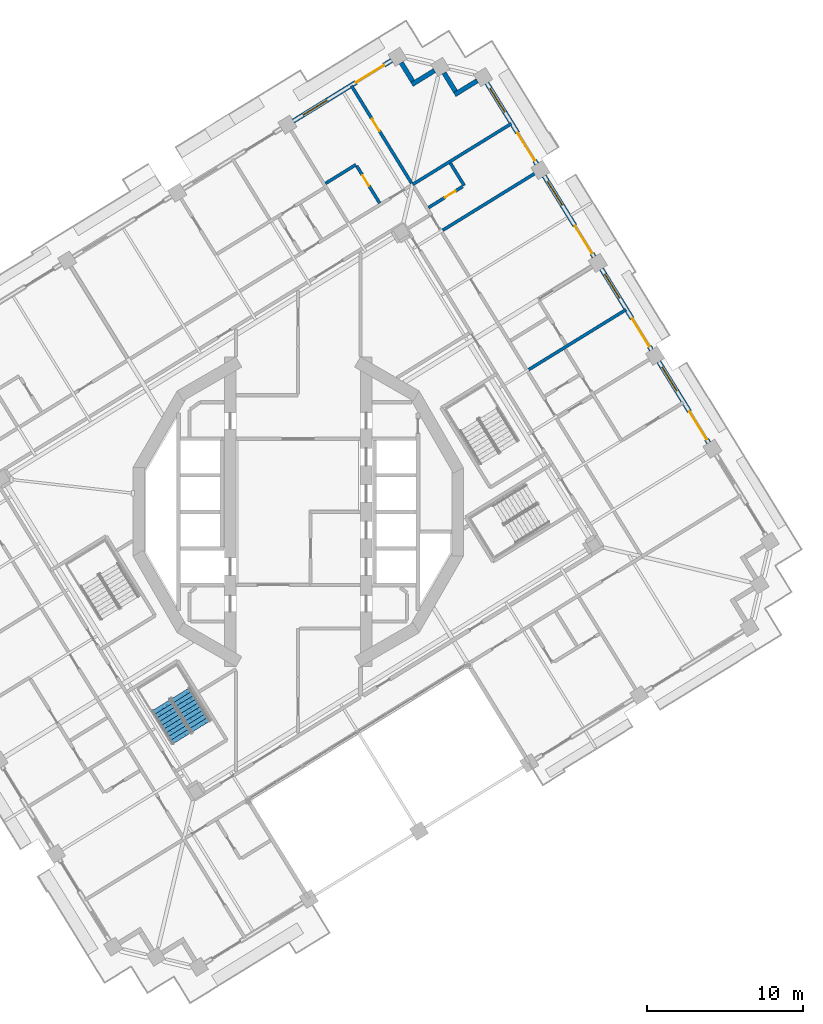
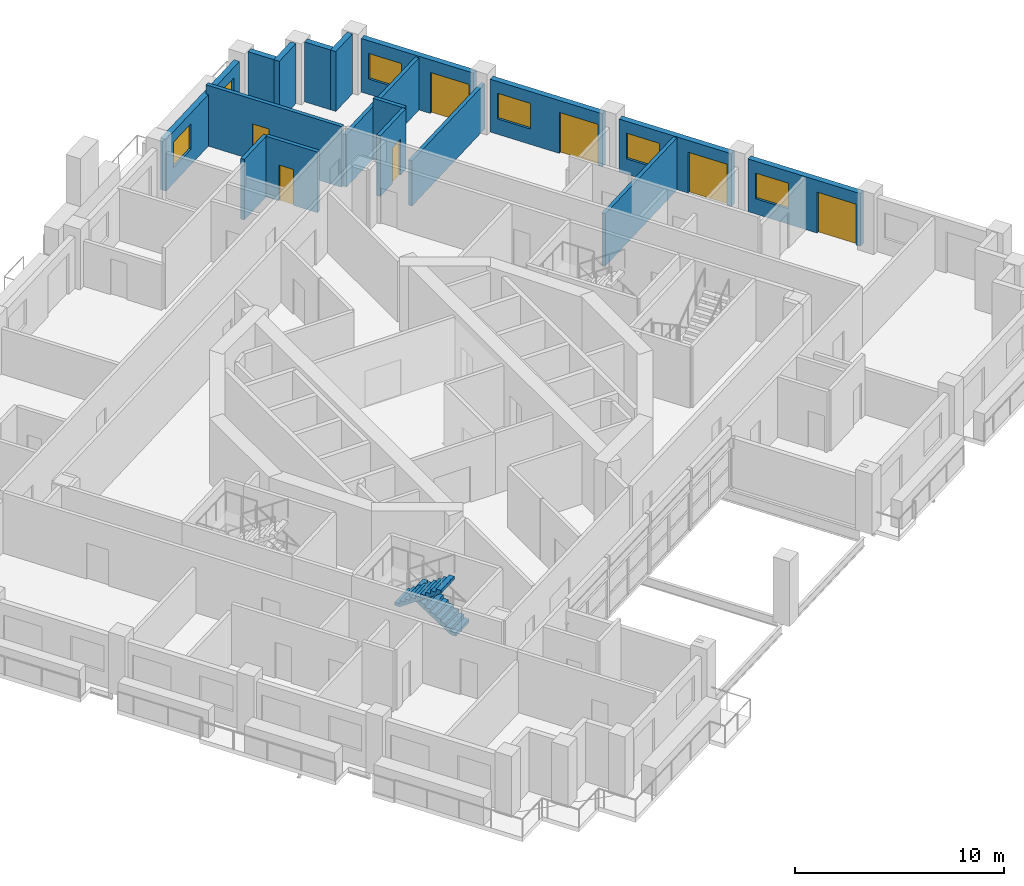
# One storey, part 14 of 22: 17 walls, 8 doors, 5 windows, 2 stair flights, 13 openings, 1 element without a shape of its own.
"""IFC4 building model written with IfcOpenShell, lengths in metres."""

from ifc_helpers import new_model, si_unit, direction, frame, frame_2d, origin, place, context, subcontext, project, spatial, polyline, rectangle, outline, extrude, material, layer, layer_set, type_object, element, fill, aggregate, save


model = new_model("IFC4")

# Units and contexts
model_context = context("Model", 3, precision=1e-05, world=origin(), true_north=direction((0.0, 1.0)))
body_context = subcontext(model_context, "Body", "Model", "MODEL_VIEW")
ifc_project = project(units=[si_unit("LENGTHUNIT", "METRE"), si_unit("AREAUNIT", "SQUARE_METRE"), si_unit("VOLUMEUNIT", "CUBIC_METRE"), si_unit("PLANEANGLEUNIT", "RADIAN"), si_unit("MASSUNIT", "GRAM", prefix="KILO")], contexts=[model_context])

# Site, building, storey
site_placement = place(None, origin())
site = spatial("IfcSite", under=ifc_project, at=site_placement, CompositionType="ELEMENT")
building_placement = place(site_placement, origin())
building = spatial("IfcBuilding", under=site, at=building_placement, Name="Cantera Rosa Tower", CompositionType="ELEMENT")
storey_placement = place(building_placement, frame((0.0, 0.0, 178.0)))
storey = spatial("IfcBuildingStorey", under=building, at=storey_placement, Name="L39", CompositionType="ELEMENT", Elevation=178.0)

# Walls
ifc_material_1 = material(Name="Hollow clay masonry with cantera stone cladding", Category="masonry")
ifc_layer_1 = layer(ifc_material_1, 0.300048828125)
ifc_layer_set_1 = layer_set([ifc_layer_1], Name="EW-LOGGIA 300")
wall_type_1 = type_object("IfcWallType", Name="EW-LOGGIA 300", PredefinedType="SOLIDWALL", material=ifc_layer_set_1)
wall_1_placement = place(storey_placement, frame((11.51123046875, 27.72021484375, 0.0), z_axis=(0.0, 0.0, 1.0), x_axis=(-0.851130227454, -0.524954603669, 0.0)))
element("IfcWall", 1, at=wall_1_placement, inside=storey, type_object=wall_type_1, Name="EN-L39-W06a", PredefinedType="SOLIDWALL", context=body_context, shape_type="SweptSolid", body=[
    extrude(rectangle(XDim=1.699951171875, YDim=0.300048828125, at=frame_2d((0.85009765625, 0.0))), origin(), (0.0, 0.0, 1.0), 3.5),
])
wall_2_placement = place(storey_placement, frame((10.11328125, 27.0341796875, 0.0), z_axis=(0.0, 0.0, 1.0), x_axis=(-0.524895019961, 0.85116697423, 0.0)))
element("IfcWall", 2, at=wall_2_placement, inside=storey, type_object=wall_type_1, Name="EN-L39-W06b", PredefinedType="SOLIDWALL", context=body_context, shape_type="SweptSolid", body=[
    extrude(rectangle(XDim=1.39990234375, YDim=0.300048828125, at=frame_2d((0.699951171875, 0.0))), origin(), (0.0, 0.0, 1.0), 3.5),
])
wall_3_placement = place(storey_placement, frame((8.75927734375, 28.37255859375, 0.0), z_axis=(0.0, 0.0, 1.0), x_axis=(-0.851105638601, -0.524994468487, 0.0)))
element("IfcWall", 3, at=wall_3_placement, inside=storey, type_object=wall_type_1, Name="EN-L39-W07a", PredefinedType="SOLIDWALL", context=body_context, shape_type="SweptSolid", body=[
    extrude(rectangle(XDim=1.7001953125, YDim=0.300048828125, at=frame_2d((0.85009765625, 0.0))), origin(), (0.0, 0.0, 1.0), 3.5),
])
wall_4_placement = place(storey_placement, frame((7.361083984375, 27.6865234375, 0.0), z_axis=(0.0, 0.0, 1.0), x_axis=(-0.524895019961, 0.85116697423, 0.0)))
element("IfcWall", 4, at=wall_4_placement, inside=storey, type_object=wall_type_1, Name="EN-L39-W07b", PredefinedType="SOLIDWALL", context=body_context, shape_type="SweptSolid", body=[
    extrude(rectangle(XDim=1.39990234375, YDim=0.300048828125, at=frame_2d((0.699951171875, 0.0))), origin(), (0.0, 0.0, 1.0), 3.5),
])

# Wall, openings, window, door
ifc_material_2 = material(Name="Hollow clay masonry with cantera stone cladding", Category="masonry")
ifc_layer_2 = layer(ifc_material_2, 0.300048828125)
ifc_layer_set_2 = layer_set([ifc_layer_2], Name="EW-LOGGIA 300 H3020")
wall_type_2 = type_object("IfcWallType", Name="EW-LOGGIA 300 H3020", PredefinedType="SOLIDWALL", material=ifc_layer_set_2)
wall_5_placement = place(storey_placement, frame((6.007080078125, 29.02490234375, 0.0), z_axis=(0.0, 0.0, 1.0), x_axis=(-0.851111085575, -0.524985637909, 0.0)))
wall_5 = element("IfcWall", 5, at=wall_5_placement, inside=storey, type_object=wall_type_2, Name="EN-L39-W08", PredefinedType="SOLIDWALL", context=body_context, shape_type="SweptSolid", body=[
    extrude(rectangle(XDim=7.420166015625, YDim=0.300048828125, at=frame_2d((3.7099609375, 0.0))), origin(), (0.0, 0.0, 1.0), 3.02001953125),
])
opening_1_placement = place(wall_5_placement, frame((0.580078125, 0.0, 0.0)))
opening_1 = element("IfcOpeningElement", 6, at=opening_1_placement, cuts=wall_5, Name="Opening L39-TD11", PredefinedType="OPENING", context=body_context, shape_type="SweptSolid", body=[
    extrude(rectangle(XDim=2.10009765625, YDim=2.39990234375, at=frame_2d((1.050048828125, 1.199951171875))), frame((0.0, 0.159912109375, 0.0), z_axis=(0.0, -1.0, 0.0), x_axis=(1.0, 0.0, 0.0)), (0.0, 0.0, 1.0), 0.320068359375),
])
opening_2_placement = place(wall_5_placement, frame((4.889892578125, 0.0, 0.89990234375)))
opening_2 = element("IfcOpeningElement", 7, at=opening_2_placement, cuts=wall_5, Name="Opening L39-W12", PredefinedType="OPENING", context=body_context, shape_type="SweptSolid", body=[
    extrude(rectangle(XDim=1.800048828125, YDim=1.5, at=frame_2d((0.89990234375, 0.75))), frame((0.0, 0.159912109375, 0.0), z_axis=(0.0, -1.0, 0.0), x_axis=(1.0, 0.0, 0.0)), (0.0, 0.0, 1.0), 0.320068359375),
])
ifc_material_3 = material(Name="Aluminium frame with clear glass", Category="aluminium")
window_type = type_object("IfcWindowType", Name="Hotel room window 1800x1500", PartitioningType="DOUBLE_PANEL_VERTICAL", PredefinedType="WINDOW", material=ifc_material_3)
window_1_placement = place(opening_2_placement, origin())
window_1 = element("IfcWindow", 8, at=window_1_placement, inside=storey, type_object=window_type, Name="WINDOW L39-W12", OverallHeight=1.5, OverallWidth=1.800048828125, PartitioningType="SINGLE_PANEL", PredefinedType="WINDOW", context=body_context, shape_type="SweptSolid", body=[
    extrude(rectangle(XDim=1.800048828125, YDim=1.5, at=frame_2d((0.89990234375, 0.75))), frame((0.0, 0.030029296875, 0.0), z_axis=(0.0, -1.0, 0.0), x_axis=(1.0, 0.0, 0.0)), (0.0, 0.0, 1.0), 0.06005859375),
])
fill(opening_2, window_1)
ifc_material_4 = material(Name="Aluminium frame with clear glass", Category="aluminium")
door_type_1 = type_object("IfcDoorType", Name="TD-H 2100x2400", OperationType="NOTDEFINED", PredefinedType="DOOR", material=ifc_material_4)
door_1_placement = place(opening_1_placement, origin())
door_1 = element("IfcDoor", 9, at=door_1_placement, inside=storey, type_object=door_type_1, Name="LOGGIA DOOR L39-TD11", OperationType="SLIDING_TO_LEFT", OverallHeight=2.39990234375, OverallWidth=2.10009765625, PredefinedType="DOOR", context=body_context, shape_type="SweptSolid", body=[
    extrude(rectangle(XDim=2.10009765625, YDim=2.39990234375, at=frame_2d((1.050048828125, 1.199951171875))), frame((0.0, 0.02490234375, 0.0), z_axis=(0.0, -1.0, 0.0), x_axis=(1.0, 0.0, 0.0)), (0.0, 0.0, 1.0), 0.050048828125),
])
fill(opening_1, door_1)

ifc_material_5 = material(Name="Hollow clay masonry with cantera stone cladding", Category="masonry")
ifc_layer_3 = layer(ifc_material_5, 0.300048828125)
ifc_layer_set_3 = layer_set([ifc_layer_3], Name="EW-LOGGIA 300 H3090")
wall_type_3 = type_object("IfcWallType", Name="EW-LOGGIA 300 H3090", PredefinedType="SOLIDWALL", material=ifc_layer_set_3)
wall_6_placement = place(storey_placement, frame((26.3994140625, 4.440185546875, 0.0), z_axis=(0.0, 0.0, 1.0), x_axis=(-0.524987447654, 0.851109969279, 0.0)))
wall_6 = element("IfcWall", 10, at=wall_6_placement, inside=storey, type_object=wall_type_3, Name="EN-L39-W02", PredefinedType="SOLIDWALL", context=body_context, shape_type="SweptSolid", body=[
    extrude(rectangle(XDim=6.119873046875, YDim=0.300048828125, at=frame_2d((3.06005859375, 0.0))), origin(), (0.0, 0.0, 1.0), 3.090087890625),
])
opening_3_placement = place(wall_6_placement, frame((0.2548828125, 0.0, 0.0)))
opening_3 = element("IfcOpeningElement", 11, at=opening_3_placement, cuts=wall_6, Name="Opening L39-TD03", PredefinedType="OPENING", context=body_context, shape_type="SweptSolid", body=[
    extrude(rectangle(XDim=2.10009765625, YDim=2.39990234375, at=frame_2d((1.050048828125, 1.199951171875))), frame((0.0, 0.159912109375, 0.0), z_axis=(0.0, -1.0, 0.0), x_axis=(1.0, 0.0, 0.0)), (0.0, 0.0, 1.0), 0.320068359375),
])
opening_4_placement = place(wall_6_placement, frame((3.9150390625, 0.0, 0.89990234375)))
opening_4 = element("IfcOpeningElement", 12, at=opening_4_placement, cuts=wall_6, Name="Opening L39-W04", PredefinedType="OPENING", context=body_context, shape_type="SweptSolid", body=[
    extrude(rectangle(XDim=1.800048828125, YDim=1.5, at=frame_2d((0.89990234375, 0.75))), frame((0.0, 0.159912109375, 0.0), z_axis=(0.0, -1.0, 0.0), x_axis=(1.0, 0.0, 0.0)), (0.0, 0.0, 1.0), 0.320068359375),
])
window_2_placement = place(opening_4_placement, origin())
window_2 = element("IfcWindow", 13, at=window_2_placement, inside=storey, type_object=window_type, Name="WINDOW L39-W04", OverallHeight=1.5, OverallWidth=1.800048828125, PartitioningType="SINGLE_PANEL", PredefinedType="WINDOW", context=body_context, shape_type="SweptSolid", body=[
    extrude(rectangle(XDim=1.800048828125, YDim=1.5, at=frame_2d((0.89990234375, 0.75))), frame((0.0, 0.030029296875, 0.0), z_axis=(0.0, -1.0, 0.0), x_axis=(1.0, 0.0, 0.0)), (0.0, 0.0, 1.0), 0.06005859375),
])
fill(opening_4, window_2)
door_2_placement = place(opening_3_placement, origin())
door_2 = element("IfcDoor", 14, at=door_2_placement, inside=storey, type_object=door_type_1, Name="LOGGIA DOOR L39-TD03", OperationType="SLIDING_TO_LEFT", OverallHeight=2.39990234375, OverallWidth=2.10009765625, PredefinedType="DOOR", context=body_context, shape_type="SweptSolid", body=[
    extrude(rectangle(XDim=2.10009765625, YDim=2.39990234375, at=frame_2d((1.050048828125, 1.199951171875))), frame((0.0, 0.02490234375, 0.0), z_axis=(0.0, -1.0, 0.0), x_axis=(1.0, 0.0, 0.0)), (0.0, 0.0, 1.0), 0.050048828125),
])
fill(opening_3, door_2)

wall_7_placement = place(storey_placement, frame((22.714111328125, 10.4150390625, 0.0), z_axis=(0.0, 0.0, 1.0), x_axis=(-0.524987447654, 0.851109969279, 0.0)))
wall_7 = element("IfcWall", 15, at=wall_7_placement, inside=storey, type_object=wall_type_3, Name="EN-L39-W03", PredefinedType="SOLIDWALL", context=body_context, shape_type="SweptSolid", body=[
    extrude(rectangle(XDim=6.119873046875, YDim=0.300048828125, at=frame_2d((3.06005859375, 0.0))), origin(), (0.0, 0.0, 1.0), 3.090087890625),
])
opening_5_placement = place(wall_7_placement, frame((0.2548828125, 0.0, 0.0)))
opening_5 = element("IfcOpeningElement", 16, at=opening_5_placement, cuts=wall_7, Name="Opening L39-TD05", PredefinedType="OPENING", context=body_context, shape_type="SweptSolid", body=[
    extrude(rectangle(XDim=2.10009765625, YDim=2.39990234375, at=frame_2d((1.050048828125, 1.199951171875))), frame((0.0, 0.159912109375, 0.0), z_axis=(0.0, -1.0, 0.0), x_axis=(1.0, 0.0, 0.0)), (0.0, 0.0, 1.0), 0.320068359375),
])
opening_6_placement = place(wall_7_placement, frame((3.9150390625, 0.0, 0.89990234375)))
opening_6 = element("IfcOpeningElement", 17, at=opening_6_placement, cuts=wall_7, Name="Opening L39-W06", PredefinedType="OPENING", context=body_context, shape_type="SweptSolid", body=[
    extrude(rectangle(XDim=1.800048828125, YDim=1.5, at=frame_2d((0.89990234375, 0.75))), frame((0.0, 0.159912109375, 0.0), z_axis=(0.0, -1.0, 0.0), x_axis=(1.0, 0.0, 0.0)), (0.0, 0.0, 1.0), 0.320068359375),
])
window_3_placement = place(opening_6_placement, origin())
window_3 = element("IfcWindow", 18, at=window_3_placement, inside=storey, type_object=window_type, Name="WINDOW L39-W06", OverallHeight=1.5, OverallWidth=1.800048828125, PartitioningType="SINGLE_PANEL", PredefinedType="WINDOW", context=body_context, shape_type="SweptSolid", body=[
    extrude(rectangle(XDim=1.800048828125, YDim=1.5, at=frame_2d((0.89990234375, 0.75))), frame((0.0, 0.030029296875, 0.0), z_axis=(0.0, -1.0, 0.0), x_axis=(1.0, 0.0, 0.0)), (0.0, 0.0, 1.0), 0.06005859375),
])
fill(opening_6, window_3)
door_3_placement = place(opening_5_placement, origin())
door_3 = element("IfcDoor", 19, at=door_3_placement, inside=storey, type_object=door_type_1, Name="LOGGIA DOOR L39-TD05", OperationType="SLIDING_TO_LEFT", OverallHeight=2.39990234375, OverallWidth=2.10009765625, PredefinedType="DOOR", context=body_context, shape_type="SweptSolid", body=[
    extrude(rectangle(XDim=2.10009765625, YDim=2.39990234375, at=frame_2d((1.050048828125, 1.199951171875))), frame((0.0, 0.02490234375, 0.0), z_axis=(0.0, -1.0, 0.0), x_axis=(1.0, 0.0, 0.0)), (0.0, 0.0, 1.0), 0.050048828125),
])
fill(opening_5, door_3)

wall_8_placement = place(storey_placement, frame((19.02880859375, 16.389892578125, 0.0), z_axis=(0.0, 0.0, 1.0), x_axis=(-0.524987447654, 0.851109969279, 0.0)))
wall_8 = element("IfcWall", 20, at=wall_8_placement, inside=storey, type_object=wall_type_3, Name="EN-L39-W04", PredefinedType="SOLIDWALL", context=body_context, shape_type="SweptSolid", body=[
    extrude(rectangle(XDim=6.119873046875, YDim=0.300048828125, at=frame_2d((3.06005859375, 0.0))), origin(), (0.0, 0.0, 1.0), 3.090087890625),
])
opening_7_placement = place(wall_8_placement, frame((0.2548828125, 0.0, 0.0)))
opening_7 = element("IfcOpeningElement", 21, at=opening_7_placement, cuts=wall_8, Name="Opening L39-TD07", PredefinedType="OPENING", context=body_context, shape_type="SweptSolid", body=[
    extrude(rectangle(XDim=2.10009765625, YDim=2.39990234375, at=frame_2d((1.050048828125, 1.199951171875))), frame((0.0, 0.159912109375, 0.0), z_axis=(0.0, -1.0, 0.0), x_axis=(1.0, 0.0, 0.0)), (0.0, 0.0, 1.0), 0.320068359375),
])
opening_8_placement = place(wall_8_placement, frame((3.9150390625, 0.0, 0.89990234375)))
opening_8 = element("IfcOpeningElement", 22, at=opening_8_placement, cuts=wall_8, Name="Opening L39-W08", PredefinedType="OPENING", context=body_context, shape_type="SweptSolid", body=[
    extrude(rectangle(XDim=1.800048828125, YDim=1.5, at=frame_2d((0.89990234375, 0.75))), frame((0.0, 0.159912109375, 0.0), z_axis=(0.0, -1.0, 0.0), x_axis=(1.0, 0.0, 0.0)), (0.0, 0.0, 1.0), 0.320068359375),
])
window_4_placement = place(opening_8_placement, origin())
window_4 = element("IfcWindow", 23, at=window_4_placement, inside=storey, type_object=window_type, Name="WINDOW L39-W08", OverallHeight=1.5, OverallWidth=1.800048828125, PartitioningType="SINGLE_PANEL", PredefinedType="WINDOW", context=body_context, shape_type="SweptSolid", body=[
    extrude(rectangle(XDim=1.800048828125, YDim=1.5, at=frame_2d((0.89990234375, 0.75))), frame((0.0, 0.030029296875, 0.0), z_axis=(0.0, -1.0, 0.0), x_axis=(1.0, 0.0, 0.0)), (0.0, 0.0, 1.0), 0.06005859375),
])
fill(opening_8, window_4)
door_4_placement = place(opening_7_placement, origin())
door_4 = element("IfcDoor", 24, at=door_4_placement, inside=storey, type_object=door_type_1, Name="LOGGIA DOOR L39-TD07", OperationType="SLIDING_TO_LEFT", OverallHeight=2.39990234375, OverallWidth=2.10009765625, PredefinedType="DOOR", context=body_context, shape_type="SweptSolid", body=[
    extrude(rectangle(XDim=2.10009765625, YDim=2.39990234375, at=frame_2d((1.050048828125, 1.199951171875))), frame((0.0, 0.02490234375, 0.0), z_axis=(0.0, -1.0, 0.0), x_axis=(1.0, 0.0, 0.0)), (0.0, 0.0, 1.0), 0.050048828125),
])
fill(opening_7, door_4)

ifc_material_6 = material(Name="Hollow clay masonry with cantera stone cladding", Category="masonry")
ifc_layer_4 = layer(ifc_material_6, 0.300048828125)
ifc_layer_set_4 = layer_set([ifc_layer_4], Name="EW-LOGGIA 300 H3140")
wall_type_4 = type_object("IfcWallType", Name="EW-LOGGIA 300 H3140", PredefinedType="SOLIDWALL", material=ifc_layer_set_4)
wall_9_placement = place(storey_placement, frame((15.343505859375, 22.36474609375, 0.0), z_axis=(0.0, 0.0, 1.0), x_axis=(-0.524987447654, 0.851109969279, 0.0)))
wall_9 = element("IfcWall", 25, at=wall_9_placement, inside=storey, type_object=wall_type_4, Name="EN-L39-W05", PredefinedType="SOLIDWALL", context=body_context, shape_type="SweptSolid", body=[
    extrude(rectangle(XDim=6.119873046875, YDim=0.300048828125, at=frame_2d((3.06005859375, 0.0))), origin(), (0.0, 0.0, 1.0), 3.139892578125),
])
opening_9_placement = place(wall_9_placement, frame((0.2548828125, 0.0, 0.0)))
opening_9 = element("IfcOpeningElement", 26, at=opening_9_placement, cuts=wall_9, Name="Opening L39-TD09", PredefinedType="OPENING", context=body_context, shape_type="SweptSolid", body=[
    extrude(rectangle(XDim=2.10009765625, YDim=2.39990234375, at=frame_2d((1.050048828125, 1.199951171875))), frame((0.0, 0.159912109375, 0.0), z_axis=(0.0, -1.0, 0.0), x_axis=(1.0, 0.0, 0.0)), (0.0, 0.0, 1.0), 0.320068359375),
])
opening_10_placement = place(wall_9_placement, frame((3.9150390625, 0.0, 0.89990234375)))
opening_10 = element("IfcOpeningElement", 27, at=opening_10_placement, cuts=wall_9, Name="Opening L39-W10", PredefinedType="OPENING", context=body_context, shape_type="SweptSolid", body=[
    extrude(rectangle(XDim=1.800048828125, YDim=1.5, at=frame_2d((0.89990234375, 0.75))), frame((0.0, 0.159912109375, 0.0), z_axis=(0.0, -1.0, 0.0), x_axis=(1.0, 0.0, 0.0)), (0.0, 0.0, 1.0), 0.320068359375),
])
window_5_placement = place(opening_10_placement, origin())
window_5 = element("IfcWindow", 28, at=window_5_placement, inside=storey, type_object=window_type, Name="WINDOW L39-W10", OverallHeight=1.5, OverallWidth=1.800048828125, PartitioningType="SINGLE_PANEL", PredefinedType="WINDOW", context=body_context, shape_type="SweptSolid", body=[
    extrude(rectangle(XDim=1.800048828125, YDim=1.5, at=frame_2d((0.89990234375, 0.75))), frame((0.0, 0.030029296875, 0.0), z_axis=(0.0, -1.0, 0.0), x_axis=(1.0, 0.0, 0.0)), (0.0, 0.0, 1.0), 0.06005859375),
])
fill(opening_10, window_5)
door_5_placement = place(opening_9_placement, origin())
door_5 = element("IfcDoor", 29, at=door_5_placement, inside=storey, type_object=door_type_1, Name="LOGGIA DOOR L39-TD09", OperationType="SLIDING_TO_LEFT", OverallHeight=2.39990234375, OverallWidth=2.10009765625, PredefinedType="DOOR", context=body_context, shape_type="SweptSolid", body=[
    extrude(rectangle(XDim=2.10009765625, YDim=2.39990234375, at=frame_2d((1.050048828125, 1.199951171875))), frame((0.0, 0.02490234375, 0.0), z_axis=(0.0, -1.0, 0.0), x_axis=(1.0, 0.0, 0.0)), (0.0, 0.0, 1.0), 0.050048828125),
])
fill(opening_9, door_5)

# Wall
ifc_material_7 = material(Name="Gypsum board partition")
ifc_layer_5 = layer(ifc_material_7, 0.199951171875)
ifc_layer_set_5 = layer_set([ifc_layer_5], Name="PARTITION 200 H3550")
wall_type_5 = type_object("IfcWallType", Name="PARTITION 200 H3550", PredefinedType="PARTITIONING", material=ifc_layer_set_5)
wall_10_placement = place(storey_placement, frame((1.756103515625, 21.11572265625, 0.0), z_axis=(0.0, 0.0, 1.0), x_axis=(0.851125818006, 0.524961752819, 0.0)))
element("IfcWall", 30, at=wall_10_placement, inside=storey, type_object=wall_type_5, Name="PARTITION L39-073", PredefinedType="PARTITIONING", context=body_context, shape_type="SweptSolid", body=[
    extrude(rectangle(XDim=2.30029296875, YDim=0.199951171875, at=frame_2d((1.150146484375, 0.0))), origin(), (0.0, 0.0, 1.0), 3.550048828125),
])

# Wall, opening, door
wall_11_placement = place(storey_placement, frame((3.766357421875, 22.238037109375, 0.0), z_axis=(0.0, 0.0, 1.0), x_axis=(0.5249339773, -0.851142948908, 0.0)))
wall_11 = element("IfcWall", 31, at=wall_11_placement, inside=storey, type_object=wall_type_5, Name="PARTITION L39-075", PredefinedType="PARTITIONING", context=body_context, shape_type="SweptSolid", body=[
    extrude(rectangle(XDim=2.7998046875, YDim=0.199951171875, at=frame_2d((1.39990234375, 0.0))), origin(), (0.0, 0.0, 1.0), 3.550048828125),
])
opening_11_placement = place(wall_11_placement, frame((0.699951171875, 0.0, 0.0)))
opening_11 = element("IfcOpeningElement", 32, at=opening_11_placement, cuts=wall_11, Name="Opening L39-040", PredefinedType="OPENING", context=body_context, shape_type="SweptSolid", body=[
    extrude(rectangle(XDim=0.800048828125, YDim=2.10009765625, at=frame_2d((0.39990234375, 1.050048828125))), frame((0.0, 0.10986328125, 0.0), z_axis=(0.0, -1.0, 0.0), x_axis=(1.0, 0.0, 0.0)), (0.0, 0.0, 1.0), 0.219970703125),
])
ifc_material_8 = material(Name="Timber door leaf", Category="wood")
door_type_2 = type_object("IfcDoorType", Name="BATHROOM DOOR 800x2100", OperationType="NOTDEFINED", PredefinedType="DOOR", material=ifc_material_8)
door_6_placement = place(opening_11_placement, origin())
door_6 = element("IfcDoor", 33, at=door_6_placement, inside=storey, type_object=door_type_2, Name="DOOR L39-040", OperationType="NOTDEFINED", OverallHeight=2.10009765625, OverallWidth=0.800048828125, PredefinedType="DOOR", context=body_context, shape_type="SweptSolid", body=[
    extrude(rectangle(XDim=0.800048828125, YDim=2.10009765625, at=frame_2d((0.39990234375, 1.050048828125))), frame((0.0, 0.02490234375, 0.0), z_axis=(0.0, -1.0, 0.0), x_axis=(1.0, 0.0, 0.0)), (0.0, 0.0, 1.0), 0.050048828125),
])
fill(opening_11, door_6)

wall_12_placement = place(storey_placement, frame((7.2958984375, 21.12548828125, 0.0), z_axis=(0.0, 0.0, 1.0), x_axis=(-0.52498429839, 0.851111911821, 0.0)))
wall_12 = element("IfcWall", 34, at=wall_12_placement, inside=storey, type_object=wall_type_5, Name="PARTITION L39-093", PredefinedType="PARTITIONING", context=body_context, shape_type="SweptSolid", body=[
    extrude(rectangle(XDim=7.3701171875, YDim=0.199951171875, at=frame_2d((3.68505859375, 0.0))), origin(), (0.0, 0.0, 1.0), 3.550048828125),
])
opening_12_placement = place(wall_12_placement, frame((3.949951171875, 0.0, 0.0)))
opening_12 = element("IfcOpeningElement", 35, at=opening_12_placement, cuts=wall_12, Name="Opening L39-041", PredefinedType="OPENING", context=body_context, shape_type="SweptSolid", body=[
    extrude(rectangle(XDim=0.89990234375, YDim=2.10009765625, at=frame_2d((0.449951171875, 1.050048828125))), frame((0.0, 0.10986328125, 0.0), z_axis=(0.0, -1.0, 0.0), x_axis=(1.0, 0.0, 0.0)), (0.0, 0.0, 1.0), 0.219970703125),
])
ifc_material_9 = material(Name="Timber door leaf", Category="wood")
door_type_3 = type_object("IfcDoorType", Name="ROOM DOOR 900x2100", OperationType="NOTDEFINED", PredefinedType="DOOR", material=ifc_material_9)
door_7_placement = place(opening_12_placement, origin())
door_7 = element("IfcDoor", 36, at=door_7_placement, inside=storey, type_object=door_type_3, Name="DOOR L39-041", OperationType="NOTDEFINED", OverallHeight=2.10009765625, OverallWidth=0.89990234375, PredefinedType="DOOR", context=body_context, shape_type="SweptSolid", body=[
    extrude(rectangle(XDim=0.89990234375, YDim=2.10009765625, at=frame_2d((0.449951171875, 1.050048828125))), frame((0.0, 0.02490234375, 0.0), z_axis=(0.0, -1.0, 0.0), x_axis=(1.0, 0.0, 0.0)), (0.0, 0.0, 1.0), 0.050048828125),
])
fill(opening_12, door_7)

# Wall
wall_13_placement = place(storey_placement, frame((9.783935546875, 22.425048828125, 0.0), z_axis=(0.0, 0.0, 1.0), x_axis=(0.525058638144, -0.851066052965, 0.0)))
element("IfcWall", 37, at=wall_13_placement, inside=storey, type_object=wall_type_5, Name="PARTITION L39-102", PredefinedType="PARTITIONING", context=body_context, shape_type="SweptSolid", body=[
    extrude(rectangle(XDim=1.699951171875, YDim=0.199951171875, at=frame_2d((0.85009765625, 0.0))), origin(), (0.0, 0.0, 1.0), 3.550048828125),
])

# Wall, opening, door
wall_14_placement = place(storey_placement, frame((10.57421875, 20.915283203125, 0.0), z_axis=(0.0, 0.0, 1.0), x_axis=(-0.851098989685, -0.525005247362, 0.0)))
wall_14 = element("IfcWall", 38, at=wall_14_placement, inside=storey, type_object=wall_type_5, Name="PARTITION L39-104", PredefinedType="PARTITIONING", context=body_context, shape_type="SweptSolid", body=[
    extrude(rectangle(XDim=2.580078125, YDim=0.199951171875, at=frame_2d((1.2900390625, 0.0))), origin(), (0.0, 0.0, 1.0), 3.550048828125),
])
opening_13_placement = place(wall_14_placement, frame((0.5439453125, 0.0, 0.0)))
opening_13 = element("IfcOpeningElement", 39, at=opening_13_placement, cuts=wall_14, Name="Opening L39-031", PredefinedType="OPENING", context=body_context, shape_type="SweptSolid", body=[
    extrude(rectangle(XDim=0.800048828125, YDim=2.10009765625, at=frame_2d((0.39990234375, 1.050048828125))), frame((0.0, 0.10986328125, 0.0), z_axis=(0.0, -1.0, 0.0), x_axis=(1.0, 0.0, 0.0)), (0.0, 0.0, 1.0), 0.219970703125),
])
door_8_placement = place(opening_13_placement, origin())
door_8 = element("IfcDoor", 40, at=door_8_placement, inside=storey, type_object=door_type_2, Name="DOOR L39-031", OperationType="NOTDEFINED", OverallHeight=2.10009765625, OverallWidth=0.800048828125, PredefinedType="DOOR", context=body_context, shape_type="SweptSolid", body=[
    extrude(rectangle(XDim=0.800048828125, YDim=2.10009765625, at=frame_2d((0.39990234375, 1.050048828125))), frame((0.0, 0.02490234375, 0.0), z_axis=(0.0, -1.0, 0.0), x_axis=(1.0, 0.0, 0.0)), (0.0, 0.0, 1.0), 0.050048828125),
])
fill(opening_13, door_8)

# Walls
ifc_material_10 = material(Name="Gypsum board partition")
ifc_layer_6 = layer(ifc_material_10, 0.199951171875)
ifc_layer_set_6 = layer_set([ifc_layer_6], Name="PARTY WALL 200 H2650")
wall_type_6 = type_object("IfcWallType", Name="PARTY WALL 200 H2650", PredefinedType="PARTITIONING", material=ifc_layer_set_6)
wall_15_placement = place(storey_placement, frame((9.29833984375, 18.107421875, 0.0), z_axis=(0.0, 0.0, 1.0), x_axis=(0.851133272812, 0.524949666075, 0.0)))
element("IfcWall", 41, at=wall_15_placement, inside=storey, type_object=wall_type_6, Name="PARTY WALL L39-101", PredefinedType="PARTITIONING", context=body_context, shape_type="SweptSolid", body=[
    extrude(rectangle(XDim=7.35009765625, YDim=0.199951171875, at=frame_2d((3.675048828125, 0.0))), origin(), (0.0, 0.0, 1.0), 2.64990234375),
])
ifc_material_11 = material(Name="Gypsum board partition")
ifc_layer_7 = layer(ifc_material_11, 0.199951171875)
ifc_layer_set_7 = layer_set([ifc_layer_7], Name="PARTY WALL 200 H3050")
wall_type_7 = type_object("IfcWallType", Name="PARTY WALL 200 H3050", PredefinedType="PARTITIONING", material=ifc_layer_set_7)
wall_16_placement = place(storey_placement, frame((7.365478515625, 21.05078125, 0.0), z_axis=(0.0, 0.0, 1.0), x_axis=(0.851113277303, 0.524982084645, 0.0)))
element("IfcWall", 42, at=wall_16_placement, inside=storey, type_object=wall_type_7, Name="PARTY WALL L39-094", PredefinedType="PARTITIONING", context=body_context, shape_type="SweptSolid", body=[
    extrude(rectangle(XDim=7.449951171875, YDim=0.199951171875, at=frame_2d((3.72509765625, 0.0))), origin(), (0.0, 0.0, 1.0), 3.050048828125),
])
wall_17_placement = place(storey_placement, frame((14.826416015625, 9.14501953125, 0.0), z_axis=(0.0, 0.0, 1.0), x_axis=(0.851118431638, 0.524973728225, 0.0)))
element("IfcWall", 43, at=wall_17_placement, inside=storey, type_object=wall_type_7, Name="PARTY WALL L39-112", PredefinedType="PARTITIONING", context=body_context, shape_type="SweptSolid", body=[
    extrude(rectangle(XDim=7.35009765625, YDim=0.199951171875, at=frame_2d((3.675048828125, 0.0))), origin(), (0.0, 0.0, 1.0), 3.050048828125),
])

# Stair, stair flights
ifc_material_12 = material(Name="Concrete C35/45", Category="concrete")
stair_type = type_object("IfcStairType", Name="EXIT STAIR 1350 DOGLEG", PredefinedType="HALF_TURN_STAIR", material=ifc_material_12)
stair_placement = place(storey_placement, origin())
stair = element("IfcStair", 44, at=stair_placement, inside=storey, type_object=stair_type, Name="L39 ST-33", PredefinedType="HALF_TURN_STAIR")
ifc_material_13 = material(Name="Concrete C35/45", Category="concrete")
stair_flight_type = type_object("IfcStairFlightType", Name="STAIR FLIGHT 1350 R20x190", PredefinedType="STRAIGHT", material=ifc_material_13)
stair_flight_1_placement = place(storey_placement, frame((-6.226806640625, -13.7978515625, 0.0), z_axis=(0.0, 0.0, 1.0), x_axis=(-0.524976585286, 0.851116669383, 0.0)))
stair_flight_1 = element("IfcStairFlight", 45, at=stair_flight_1_placement, type_object=stair_flight_type, Name="ST-33 flight 1", NumberOfRisers=10, NumberOfTreads=9, PredefinedType="STRAIGHT", RiserHeight=0.19, TreadLength=0.28, context=body_context, shape_type="SweptSolid", body=[
    extrude(outline(polyline([(0.0, 0.0), (0.0, 0.18994140625), (0.280029296875, 0.18994140625), (0.280029296875, 0.3798828125), (0.56005859375, 0.3798828125), (0.56005859375, 0.570068359375), (0.840087890625, 0.570068359375), (0.840087890625, 0.760009765625), (1.1201171875, 0.760009765625), (1.1201171875, 0.949951171875), (1.39990234375, 0.949951171875), (1.39990234375, 1.139892578125), (1.679931640625, 1.139892578125), (1.679931640625, 1.330078125), (1.9599609375, 1.330078125), (1.9599609375, 1.52001953125), (2.239990234375, 1.52001953125), (2.239990234375, 1.7099609375), (2.52001953125, 1.7099609375), (2.52001953125, 1.89990234375), (2.52001953125, 1.52880859375), (0.266845703125, 0.0), (0.0, 0.0)])), frame((0.0, 0.675048828125, 0.0), z_axis=(0.0, -1.0, 0.0), x_axis=(1.0, 0.0, 0.0)), (0.0, 0.0, 1.0), 0.3359375),
    extrude(outline(polyline([(0.0, 0.0), (0.0, 0.18994140625), (0.280029296875, 0.18994140625), (0.280029296875, 0.3798828125), (0.56005859375, 0.3798828125), (0.56005859375, 0.570068359375), (0.840087890625, 0.570068359375), (0.840087890625, 0.760009765625), (1.1201171875, 0.760009765625), (1.1201171875, 0.949951171875), (1.39990234375, 0.949951171875), (1.39990234375, 1.139892578125), (1.679931640625, 1.139892578125), (1.679931640625, 1.330078125), (1.9599609375, 1.330078125), (1.9599609375, 1.52001953125), (2.239990234375, 1.52001953125), (2.239990234375, 1.7099609375), (2.52001953125, 1.7099609375), (2.52001953125, 1.89990234375), (2.52001953125, 1.52880859375), (0.266845703125, 0.0), (0.0, 0.0)])), frame((0.0, 0.337158203125, 0.0), z_axis=(0.0, -1.0, 0.0), x_axis=(1.0, 0.0, 0.0)), (0.0, 0.0, 1.0), 0.3359375),
    extrude(outline(polyline([(0.0, 0.0), (0.0, 0.18994140625), (0.280029296875, 0.18994140625), (0.280029296875, 0.3798828125), (0.56005859375, 0.3798828125), (0.56005859375, 0.570068359375), (0.840087890625, 0.570068359375), (0.840087890625, 0.760009765625), (1.1201171875, 0.760009765625), (1.1201171875, 0.949951171875), (1.39990234375, 0.949951171875), (1.39990234375, 1.139892578125), (1.679931640625, 1.139892578125), (1.679931640625, 1.330078125), (1.9599609375, 1.330078125), (1.9599609375, 1.52001953125), (2.239990234375, 1.52001953125), (2.239990234375, 1.7099609375), (2.52001953125, 1.7099609375), (2.52001953125, 1.89990234375), (2.52001953125, 1.52880859375), (0.266845703125, 0.0), (0.0, 0.0)])), frame((0.0, -0.000732421875, 0.0), z_axis=(0.0, -1.0, 0.0), x_axis=(1.0, 0.0, 0.0)), (0.0, 0.0, 1.0), 0.3359375),
    extrude(outline(polyline([(0.0, 0.0), (0.0, 0.18994140625), (0.280029296875, 0.18994140625), (0.280029296875, 0.3798828125), (0.56005859375, 0.3798828125), (0.56005859375, 0.570068359375), (0.840087890625, 0.570068359375), (0.840087890625, 0.760009765625), (1.1201171875, 0.760009765625), (1.1201171875, 0.949951171875), (1.39990234375, 0.949951171875), (1.39990234375, 1.139892578125), (1.679931640625, 1.139892578125), (1.679931640625, 1.330078125), (1.9599609375, 1.330078125), (1.9599609375, 1.52001953125), (2.239990234375, 1.52001953125), (2.239990234375, 1.7099609375), (2.52001953125, 1.7099609375), (2.52001953125, 1.89990234375), (2.52001953125, 1.52880859375), (0.266845703125, 0.0), (0.0, 0.0)])), frame((0.0, -0.338623046875, 0.0), z_axis=(0.0, -1.0, 0.0), x_axis=(1.0, 0.0, 0.0)), (0.0, 0.0, 1.0), 0.3359375),
])
stair_flight_2_placement = place(storey_placement, frame((-8.826416015625, -12.4404296875, 1.89990234375), z_axis=(0.0, 0.0, 1.0), x_axis=(0.524976585286, -0.851116669383, 0.0)))
stair_flight_2 = element("IfcStairFlight", 46, at=stair_flight_2_placement, type_object=stair_flight_type, Name="ST-33 flight 2", NumberOfRisers=10, NumberOfTreads=9, PredefinedType="STRAIGHT", RiserHeight=0.19, TreadLength=0.28, context=body_context, shape_type="SweptSolid", body=[
    extrude(outline(polyline([(0.0, 0.0), (0.0, 0.18994140625), (0.280029296875, 0.18994140625), (0.280029296875, 0.3798828125), (0.56005859375, 0.3798828125), (0.56005859375, 0.570068359375), (0.840087890625, 0.570068359375), (0.840087890625, 0.760009765625), (1.1201171875, 0.760009765625), (1.1201171875, 0.949951171875), (1.39990234375, 0.949951171875), (1.39990234375, 1.139892578125), (1.679931640625, 1.139892578125), (1.679931640625, 1.330078125), (1.9599609375, 1.330078125), (1.9599609375, 1.52001953125), (2.239990234375, 1.52001953125), (2.239990234375, 1.7099609375), (2.52001953125, 1.7099609375), (2.52001953125, 1.89990234375), (2.52001953125, 1.52880859375), (0.266845703125, 0.0), (0.0, 0.0)])), frame((0.0, 0.675048828125, 0.0), z_axis=(0.0, -1.0, 0.0), x_axis=(1.0, 0.0, 0.0)), (0.0, 0.0, 1.0), 0.3359375),
    extrude(outline(polyline([(0.0, 0.0), (0.0, 0.18994140625), (0.280029296875, 0.18994140625), (0.280029296875, 0.3798828125), (0.56005859375, 0.3798828125), (0.56005859375, 0.570068359375), (0.840087890625, 0.570068359375), (0.840087890625, 0.760009765625), (1.1201171875, 0.760009765625), (1.1201171875, 0.949951171875), (1.39990234375, 0.949951171875), (1.39990234375, 1.139892578125), (1.679931640625, 1.139892578125), (1.679931640625, 1.330078125), (1.9599609375, 1.330078125), (1.9599609375, 1.52001953125), (2.239990234375, 1.52001953125), (2.239990234375, 1.7099609375), (2.52001953125, 1.7099609375), (2.52001953125, 1.89990234375), (2.52001953125, 1.52880859375), (0.266845703125, 0.0), (0.0, 0.0)])), frame((0.0, 0.337158203125, 0.0), z_axis=(0.0, -1.0, 0.0), x_axis=(1.0, 0.0, 0.0)), (0.0, 0.0, 1.0), 0.3359375),
    extrude(outline(polyline([(0.0, 0.0), (0.0, 0.18994140625), (0.280029296875, 0.18994140625), (0.280029296875, 0.3798828125), (0.56005859375, 0.3798828125), (0.56005859375, 0.570068359375), (0.840087890625, 0.570068359375), (0.840087890625, 0.760009765625), (1.1201171875, 0.760009765625), (1.1201171875, 0.949951171875), (1.39990234375, 0.949951171875), (1.39990234375, 1.139892578125), (1.679931640625, 1.139892578125), (1.679931640625, 1.330078125), (1.9599609375, 1.330078125), (1.9599609375, 1.52001953125), (2.239990234375, 1.52001953125), (2.239990234375, 1.7099609375), (2.52001953125, 1.7099609375), (2.52001953125, 1.89990234375), (2.52001953125, 1.52880859375), (0.266845703125, 0.0), (0.0, 0.0)])), frame((0.0, -0.000732421875, 0.0), z_axis=(0.0, -1.0, 0.0), x_axis=(1.0, 0.0, 0.0)), (0.0, 0.0, 1.0), 0.3359375),
    extrude(outline(polyline([(0.0, 0.0), (0.0, 0.18994140625), (0.280029296875, 0.18994140625), (0.280029296875, 0.3798828125), (0.56005859375, 0.3798828125), (0.56005859375, 0.570068359375), (0.840087890625, 0.570068359375), (0.840087890625, 0.760009765625), (1.1201171875, 0.760009765625), (1.1201171875, 0.949951171875), (1.39990234375, 0.949951171875), (1.39990234375, 1.139892578125), (1.679931640625, 1.139892578125), (1.679931640625, 1.330078125), (1.9599609375, 1.330078125), (1.9599609375, 1.52001953125), (2.239990234375, 1.52001953125), (2.239990234375, 1.7099609375), (2.52001953125, 1.7099609375), (2.52001953125, 1.89990234375), (2.52001953125, 1.52880859375), (0.266845703125, 0.0), (0.0, 0.0)])), frame((0.0, -0.338623046875, 0.0), z_axis=(0.0, -1.0, 0.0), x_axis=(1.0, 0.0, 0.0)), (0.0, 0.0, 1.0), 0.3359375),
])
aggregate(stair, [stair_flight_1, stair_flight_2])

save(model, "model.ifc")
